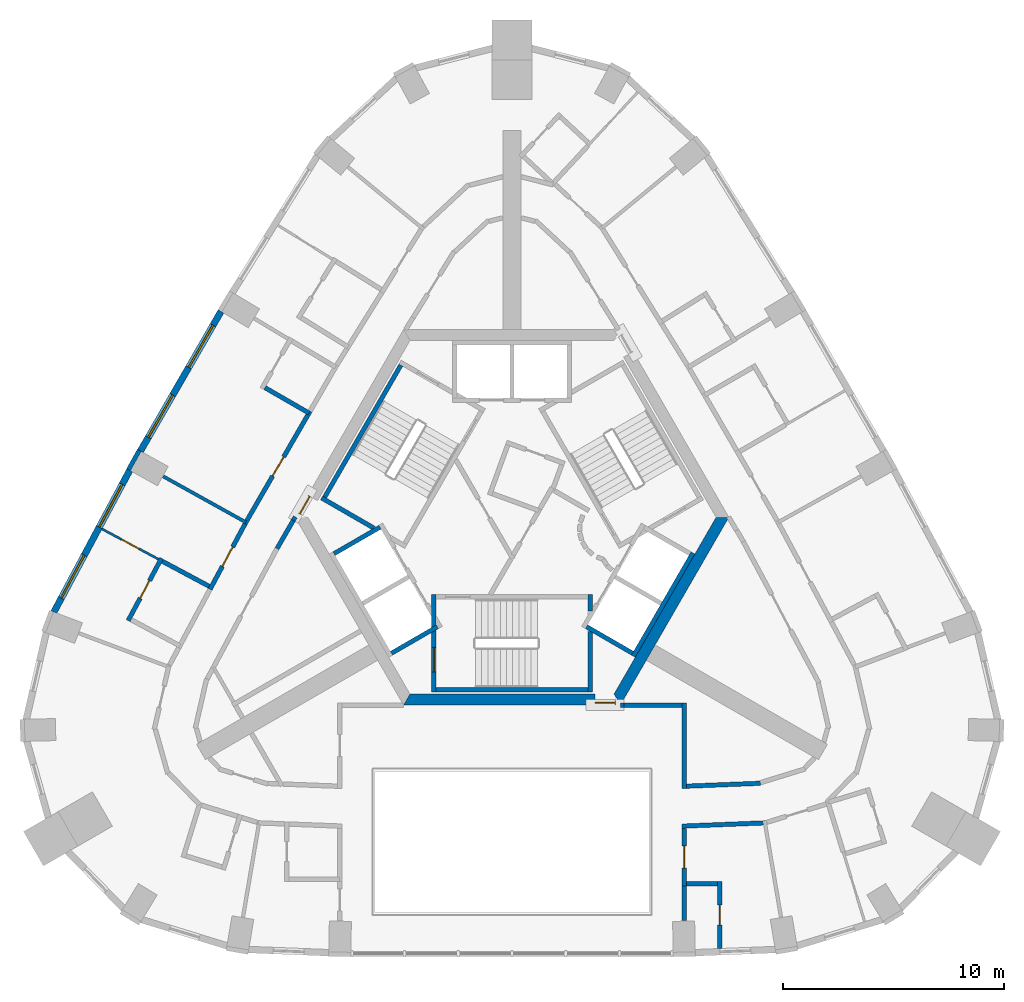
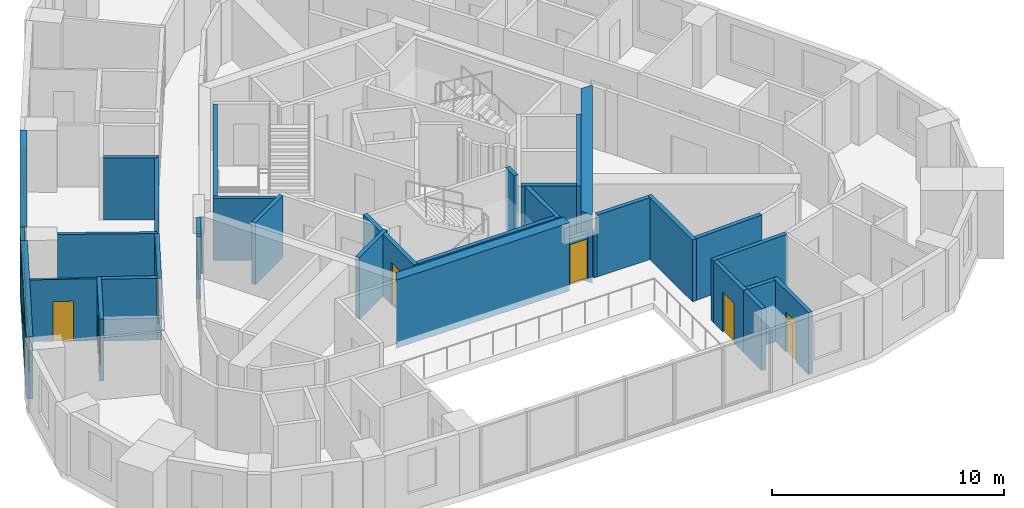
# One storey, part 3 of 9: 35 walls, 9 doors, 4 windows, 13 openings.
"""IFC4 building model written with IfcOpenShell, lengths in metres."""

from ifc_helpers import new_model, si_unit, direction, frame, frame_2d, origin, place, context, subcontext, project, spatial, polyline, rectangle, outline, extrude, material, layer, layer_set, type_object, element, fill, save


model = new_model("IFC4")

# Units and contexts
model_context = context("Model", 3, precision=1e-05, world=origin(), true_north=direction((0.0, 1.0)))
body_context = subcontext(model_context, "Body", "Model", "MODEL_VIEW")
ifc_project = project(units=[si_unit("LENGTHUNIT", "METRE"), si_unit("AREAUNIT", "SQUARE_METRE"), si_unit("VOLUMEUNIT", "CUBIC_METRE"), si_unit("PLANEANGLEUNIT", "RADIAN"), si_unit("MASSUNIT", "GRAM", prefix="KILO")], contexts=[model_context])

# Site, building, storey
site_placement = place(None, origin())
site = spatial("IfcSite", under=ifc_project, at=site_placement, CompositionType="ELEMENT")
building_placement = place(site_placement, origin())
building = spatial("IfcBuilding", under=site, at=building_placement, Name="Entoto Arch Interchange Tower", CompositionType="ELEMENT")
storey_placement = place(building_placement, frame((0.0, 0.0, 290.0)))
storey = spatial("IfcBuildingStorey", under=building, at=storey_placement, Name="L67", CompositionType="ELEMENT", Elevation=290.0)

# Wall, opening, door
ifc_material_1 = material(Name="Reinforced concrete C40/50", Category="concrete")
ifc_layer_1 = layer(ifc_material_1, 0.199951171875)
ifc_layer_set_1 = layer_set([ifc_layer_1], Name="Reinforced concrete C40/50")
wall_type_1 = type_object("IfcWallType", Name="CORE GAP INFILL WALL", PredefinedType="PARTITIONING", material=ifc_layer_set_1)
wall_1_placement = place(storey_placement, frame((3.75, -5.89990234375, 0.0), z_axis=(0.0, 0.0, 1.0), x_axis=(1.0, 0.0, 0.0)))
wall_1 = element("IfcWall", 1, at=wall_1_placement, inside=storey, type_object=wall_type_1, Name="wall:L67:gap1", PredefinedType="PARTITIONING", context=body_context, shape_type="SweptSolid", body=[
    extrude(rectangle(XDim=0.926025390625, YDim=0.199951171875, at=frame_2d((0.462890625, 0.0))), origin(), (0.0, 0.0, 1.0), 2.39990234375),
])
opening_1_placement = place(wall_1_placement, frame((0.01708984375, 0.0, 0.0)))
opening_1 = element("IfcOpeningElement", 2, at=opening_1_placement, cuts=wall_1, Name="Opening L67-D91", PredefinedType="OPENING", context=body_context, shape_type="SweptSolid", body=[
    extrude(rectangle(XDim=0.89990234375, YDim=2.10009765625, at=frame_2d((0.449951171875, 1.050048828125))), frame((0.0, 0.10986328125, 0.0), z_axis=(0.0, -1.0, 0.0), x_axis=(1.0, 0.0, 0.0)), (0.0, 0.0, 1.0), 0.219970703125),
])
ifc_material_2 = material(Name="Fire-rated Steel S235 door and frame", Category="steel")
door_type_1 = type_object("IfcDoorType", Name="DOOR FD-09 900x2100", OperationType="SINGLE_SWING_LEFT", PredefinedType="DOOR", material=ifc_material_2)
door_1_placement = place(opening_1_placement, origin())
door_1 = element("IfcDoor", 3, at=door_1_placement, inside=storey, type_object=door_type_1, Name="door:L67:gap1", OperationType="SINGLE_SWING_LEFT", OverallHeight=2.10009765625, OverallWidth=0.89990234375, PredefinedType="DOOR", context=body_context, shape_type="SweptSolid", body=[
    extrude(rectangle(XDim=0.89990234375, YDim=2.10009765625, at=frame_2d((0.449951171875, 1.050048828125))), frame((0.0, 0.02490234375, 0.0), z_axis=(0.0, -1.0, 0.0), x_axis=(1.0, 0.0, 0.0)), (0.0, 0.0, 1.0), 0.050048828125),
])
fill(opening_1, door_1)

wall_2_placement = place(storey_placement, frame((-9.14990234375, 3.451904296875, 0.0), z_axis=(0.0, 0.0, 1.0), x_axis=(-0.500079945886, -0.865979242085, 0.0)))
wall_2 = element("IfcWall", 4, at=wall_2_placement, inside=storey, type_object=wall_type_1, Name="wall:L67:gap3", PredefinedType="PARTITIONING", context=body_context, shape_type="SweptSolid", body=[
    extrude(rectangle(XDim=0.926025390625, YDim=0.199951171875, at=frame_2d((0.462890625, 0.0))), origin(), (0.0, 0.0, 1.0), 2.39990234375),
])
opening_2_placement = place(wall_2_placement, frame((0.01708984375, 0.0, 0.0)))
opening_2 = element("IfcOpeningElement", 5, at=opening_2_placement, cuts=wall_2, Name="Opening L67-D93", PredefinedType="OPENING", context=body_context, shape_type="SweptSolid", body=[
    extrude(rectangle(XDim=0.89990234375, YDim=2.10009765625, at=frame_2d((0.449951171875, 1.050048828125))), frame((0.0, 0.10986328125, 0.0), z_axis=(0.0, -1.0, 0.0), x_axis=(1.0, 0.0, 0.0)), (0.0, 0.0, 1.0), 0.219970703125),
])
door_2_placement = place(opening_2_placement, origin())
door_2 = element("IfcDoor", 6, at=door_2_placement, inside=storey, type_object=door_type_1, Name="door:L67:gap3", OperationType="SINGLE_SWING_LEFT", OverallHeight=2.10009765625, OverallWidth=0.89990234375, PredefinedType="DOOR", context=body_context, shape_type="SweptSolid", body=[
    extrude(rectangle(XDim=0.89990234375, YDim=2.10009765625, at=frame_2d((0.449951171875, 1.050048828125))), frame((0.0, 0.02490234375, 0.0), z_axis=(0.0, -1.0, 0.0), x_axis=(1.0, 0.0, 0.0)), (0.0, 0.0, 1.0), 0.050048828125),
])
fill(opening_2, door_2)

# Walls
ifc_material_3 = material(Name="Concrete C40/50", Category="concrete")
ifc_layer_2 = layer(ifc_material_3, 0.5)
ifc_layer_set_2 = layer_set([ifc_layer_2], Name="Concrete C40/50")
wall_type_2 = type_object("IfcWallType", Name="Core wall 500 C40/50", PredefinedType="SHEAR", material=ifc_layer_set_2)
wall_3_placement = place(storey_placement, frame((0.0, 0.0, -0.340087890625)))
element("IfcWall", 7, at=wall_3_placement, inside=storey, type_object=wall_type_2, Name="Core wall S L67", PredefinedType="SHEAR", context=body_context, shape_type="SweptSolid", body=[
    extrude(outline(polyline([(3.75, -6.0), (3.75, -5.5), (-4.618896484375, -5.5), (-4.906982421875, -6.0), (3.75, -6.0)])), origin(), (0.0, 0.0, 1.0), 3.60009765625),
])
wall_4_placement = place(storey_placement, frame((0.0, 0.0, -0.340087890625)))
element("IfcWall", 8, at=wall_4_placement, inside=storey, type_object=wall_type_2, Name="Core wall SE L67", PredefinedType="SHEAR", context=body_context, shape_type="SweptSolid", body=[
    extrude(outline(polyline([(4.906982421875, -6.0), (9.81494140625, 2.5), (9.238037109375, 2.5), (4.618896484375, -5.5), (4.906982421875, -6.0)])), origin(), (0.0, 0.0, 1.0), 3.60009765625),
])
ifc_layer_3 = layer(ifc_material_3, 0.199951171875)
ifc_layer_set_3 = layer_set([ifc_layer_3], Name="Concrete C40/50")
wall_type_3 = type_object("IfcWallType", Name="LIFT SHAFT WALL 200", PredefinedType="STANDARD", material=ifc_layer_set_3)
wall_5_placement = place(storey_placement, frame((-5.97705078125, 2.052001953125, 0.0), z_axis=(0.0, 0.0, 1.0), x_axis=(-0.865973769406, -0.500089422704, 0.0)))
element("IfcWall", 9, at=wall_5_placement, inside=storey, type_object=wall_type_3, Name="Shaft wall SW1 cross 1", PredefinedType="STANDARD", context=body_context, shape_type="SweptSolid", body=[
    extrude(rectangle(XDim=2.3994140625, YDim=0.199951171875, at=frame_2d((1.19970703125, 0.0))), origin(), (0.0, 0.0, 1.0), 3.260009765625),
])
wall_6_placement = place(storey_placement, frame((-3.376953125, -2.451904296875, 0.0), z_axis=(0.0, 0.0, 1.0), x_axis=(-0.865955154139, -0.50012165622, 0.0)))
element("IfcWall", 10, at=wall_6_placement, inside=storey, type_object=wall_type_3, Name="Shaft wall SW1 cross 3", PredefinedType="STANDARD", context=body_context, shape_type="SweptSolid", body=[
    extrude(rectangle(XDim=2.39990234375, YDim=0.199951171875, at=frame_2d((1.199951171875, 0.0))), origin(), (0.0, 0.0, 1.0), 3.260009765625),
])
wall_7_placement = place(storey_placement, frame((5.491943359375, -3.7880859375, 0.0), z_axis=(0.0, 0.0, 1.0), x_axis=(0.500034260056, 0.866005622828, 0.0)))
element("IfcWall", 11, at=wall_7_placement, inside=storey, type_object=wall_type_3, Name="Shaft wall SE1 back", PredefinedType="STANDARD", context=body_context, shape_type="SweptSolid", body=[
    extrude(rectangle(XDim=5.3994140625, YDim=0.199951171875, at=frame_2d((2.69970703125, 0.0))), origin(), (0.0, 0.0, 1.0), 3.260009765625),
])
wall_8_placement = place(storey_placement, frame((3.376953125, -2.451904296875, 0.0), z_axis=(0.0, 0.0, 1.0), x_axis=(0.865955154139, -0.50012165622, 0.0)))
element("IfcWall", 12, at=wall_8_placement, inside=storey, type_object=wall_type_3, Name="Shaft wall SE1 cross 1", PredefinedType="STANDARD", context=body_context, shape_type="SweptSolid", body=[
    extrude(rectangle(XDim=2.39990234375, YDim=0.199951171875, at=frame_2d((1.199951171875, 0.0))), origin(), (0.0, 0.0, 1.0), 3.260009765625),
])

# Wall, opening, door
ifc_material_4 = material(Name="Gypsum board partition on steel studs", Category="steel")
ifc_layer_4 = layer(ifc_material_4, 0.10009765625)
ifc_layer_set_4 = layer_set([ifc_layer_4], Name="Gypsum board partition on steel studs")
wall_type_4 = type_object("IfcWallType", Name="PARTITION 100", PredefinedType="PARTITIONING", material=ifc_layer_set_4)
wall_9_placement = place(storey_placement, frame((-16.0, 0.60205078125, 0.0), z_axis=(0.0, 0.0, 1.0), x_axis=(-0.881743923375, 0.47172836844, 0.0)))
wall_9 = element("IfcWall", 13, at=wall_9_placement, inside=storey, type_object=wall_type_4, Name="wall:L67:p122", PredefinedType="PARTITIONING", context=body_context, shape_type="SweptSolid", body=[
    extrude(rectangle(XDim=2.89990234375, YDim=0.10009765625, at=frame_2d((1.449951171875, 0.0))), origin(), (0.0, 0.0, 1.0), 3.260009765625),
])
opening_3_placement = place(wall_9_placement, frame((1.0, 0.0, 0.0)))
opening_3 = element("IfcOpeningElement", 14, at=opening_3_placement, cuts=wall_9, Name="Opening L67-D22", PredefinedType="OPENING", context=body_context, shape_type="SweptSolid", body=[
    extrude(rectangle(XDim=0.89990234375, YDim=2.10009765625, at=frame_2d((0.449951171875, 1.050048828125))), frame((0.0, 0.06005859375, 0.0), z_axis=(0.0, -1.0, 0.0), x_axis=(1.0, 0.0, 0.0)), (0.0, 0.0, 1.0), 0.1201171875),
])
ifc_material_5 = material(Name="Timber door leaf in Steel S235 frame", Category="steel")
door_type_2 = type_object("IfcDoorType", Name="DOOR DS-09 900x2100", OperationType="SINGLE_SWING_LEFT", PredefinedType="DOOR", material=ifc_material_5)
door_3_placement = place(opening_3_placement, origin())
door_3 = element("IfcDoor", 15, at=door_3_placement, inside=storey, type_object=door_type_2, Name="door:L67:22", OperationType="SINGLE_SWING_LEFT", OverallHeight=2.10009765625, OverallWidth=0.89990234375, PredefinedType="DOOR", context=body_context, shape_type="SweptSolid", body=[
    extrude(rectangle(XDim=0.89990234375, YDim=2.10009765625, at=frame_2d((0.449951171875, 1.050048828125))), frame((0.0, 0.02490234375, 0.0), z_axis=(0.0, -1.0, 0.0), x_axis=(1.0, 0.0, 0.0)), (0.0, 0.0, 1.0), 0.050048828125),
])
fill(opening_3, door_3)

# Walls
ifc_layer_5 = layer(ifc_material_4, 0.14990234375)
ifc_layer_set_5 = layer_set([ifc_layer_5], Name="Gypsum board partition on steel studs")
wall_type_5 = type_object("IfcWallType", Name="PARTITION 150", PredefinedType="PARTITIONING", material=ifc_layer_set_5)
wall_10_placement = place(storey_placement, frame((-12.044921875, 2.27197265625, 0.0), z_axis=(0.0, 0.0, 1.0), x_axis=(-0.873982340973, 0.485957680943, 0.0)))
element("IfcWall", 16, at=wall_10_placement, inside=storey, type_object=wall_type_5, Name="wall:L67:p121", PredefinedType="PARTITIONING", context=body_context, shape_type="SweptSolid", body=[
    extrude(rectangle(XDim=4.2802734375, YDim=0.14990234375, at=frame_2d((2.14013671875, 0.0))), origin(), (0.0, 0.0, 1.0), 3.260009765625),
])
ifc_layer_6 = layer(ifc_material_4, 0.199951171875)
ifc_layer_set_6 = layer_set([ifc_layer_6], Name="Gypsum board partition on steel studs")
wall_type_6 = type_object("IfcWallType", Name="PARTITION 200", PredefinedType="PARTITIONING", material=ifc_layer_set_6)
wall_11_placement = place(storey_placement, frame((7.89990234375, -9.6708984375, 0.0), z_axis=(0.0, 0.0, 1.0), x_axis=(0.999223751627, 0.039394088186, 0.0)))
element("IfcWall", 17, at=wall_11_placement, inside=storey, type_object=wall_type_6, Name="wall:L67:p013", PredefinedType="PARTITIONING", context=body_context, shape_type="SweptSolid", body=[
    extrude(rectangle(XDim=3.3466796875, YDim=0.199951171875, at=frame_2d((1.67333984375, 0.0))), origin(), (0.0, 0.0, 1.0), 3.260009765625),
])
wall_12_placement = place(storey_placement, frame((-9.80908203125, 2.513916015625, 0.0), z_axis=(0.0, 0.0, 1.0), x_axis=(-0.497849076449, -0.867263683708, 0.0)))
element("IfcWall", 18, at=wall_12_placement, inside=storey, type_object=wall_type_6, Name="wall:L67:p021", PredefinedType="PARTITIONING", context=body_context, shape_type="SweptSolid", body=[
    extrude(rectangle(XDim=0.184326171875, YDim=0.199951171875, at=frame_2d((0.09228515625, 0.0))), origin(), (0.0, 0.0, 1.0), 2.39990234375),
])
wall_13_placement = place(storey_placement, frame((11.47412109375, -11.33203125, 0.0), z_axis=(0.0, 0.0, 1.0), x_axis=(-0.999232546126, -0.039170381199, 0.0)))
element("IfcWall", 19, at=wall_13_placement, inside=storey, type_object=wall_type_6, Name="wall:L67:p030", PredefinedType="PARTITIONING", context=body_context, shape_type="SweptSolid", body=[
    extrude(rectangle(XDim=3.777099609375, YDim=0.199951171875, at=frame_2d((1.888671875, 0.0))), origin(), (0.0, 0.0, 1.0), 3.260009765625),
])

# Wall, opening, door
wall_14_placement = place(storey_placement, frame((-12.08203125, 2.20703125, 0.0), z_axis=(0.0, 0.0, 1.0), x_axis=(0.500123454404, 0.865954115618, 0.0)))
wall_14 = element("IfcWall", 20, at=wall_14_placement, inside=storey, type_object=wall_type_6, Name="wall:L67:p049", PredefinedType="PARTITIONING", context=body_context, shape_type="SweptSolid", body=[
    extrude(rectangle(XDim=5.884765625, YDim=0.199951171875, at=frame_2d((2.9423828125, 0.0))), origin(), (0.0, 0.0, 1.0), 3.260009765625),
])
opening_4_placement = place(wall_14_placement, frame((2.492919921875, 0.0, 0.0)))
opening_4 = element("IfcOpeningElement", 21, at=opening_4_placement, cuts=wall_14, Name="Opening L67-D19", PredefinedType="OPENING", context=body_context, shape_type="SweptSolid", body=[
    extrude(rectangle(XDim=1.0, YDim=2.10009765625, at=frame_2d((0.5, 1.050048828125))), frame((0.0, 0.10986328125, 0.0), z_axis=(0.0, -1.0, 0.0), x_axis=(1.0, 0.0, 0.0)), (0.0, 0.0, 1.0), 0.219970703125),
])
door_type_3 = type_object("IfcDoorType", Name="DOOR FD-10 1000x2100", OperationType="SINGLE_SWING_LEFT", PredefinedType="DOOR", material=ifc_material_2)
door_4_placement = place(opening_4_placement, origin())
door_4 = element("IfcDoor", 22, at=door_4_placement, inside=storey, type_object=door_type_3, Name="door:L67:19", OperationType="SINGLE_SWING_LEFT", OverallHeight=2.10009765625, OverallWidth=1.0, PredefinedType="DOOR", context=body_context, shape_type="SweptSolid", body=[
    extrude(rectangle(XDim=1.0, YDim=2.10009765625, at=frame_2d((0.5, 1.050048828125))), frame((0.0, 0.02490234375, 0.0), z_axis=(0.0, -1.0, 0.0), x_axis=(1.0, 0.0, 0.0)), (0.0, 0.0, 1.0), 0.050048828125),
])
fill(opening_4, door_4)

wall_15_placement = place(storey_placement, frame((-13.666015625, -0.760009765625, 0.0), z_axis=(0.0, 0.0, 1.0), x_axis=(0.471643060173, 0.881789557543, 0.0)))
wall_15 = element("IfcWall", 23, at=wall_15_placement, inside=storey, type_object=wall_type_6, Name="wall:L67:p051", PredefinedType="PARTITIONING", context=body_context, shape_type="SweptSolid", body=[
    extrude(rectangle(XDim=3.362548828125, YDim=0.199951171875, at=frame_2d((1.68115234375, 0.0))), origin(), (0.0, 0.0, 1.0), 3.260009765625),
])
opening_5_placement = place(wall_15_placement, frame((1.180908203125, 0.0, 0.0)))
opening_5 = element("IfcOpeningElement", 24, at=opening_5_placement, cuts=wall_15, Name="Opening L67-D21", PredefinedType="OPENING", context=body_context, shape_type="SweptSolid", body=[
    extrude(rectangle(XDim=1.0, YDim=2.10009765625, at=frame_2d((0.5, 1.050048828125))), frame((0.0, 0.10986328125, 0.0), z_axis=(0.0, -1.0, 0.0), x_axis=(1.0, 0.0, 0.0)), (0.0, 0.0, 1.0), 0.219970703125),
])
door_5_placement = place(opening_5_placement, origin())
door_5 = element("IfcDoor", 25, at=door_5_placement, inside=storey, type_object=door_type_3, Name="door:L67:21", OperationType="SINGLE_SWING_LEFT", OverallHeight=2.10009765625, OverallWidth=1.0, PredefinedType="DOOR", context=body_context, shape_type="SweptSolid", body=[
    extrude(rectangle(XDim=1.0, YDim=2.10009765625, at=frame_2d((0.5, 1.050048828125))), frame((0.0, 0.02490234375, 0.0), z_axis=(0.0, -1.0, 0.0), x_axis=(1.0, 0.0, 0.0)), (0.0, 0.0, 1.0), 0.050048828125),
])
fill(opening_5, door_5)

# Walls
wall_16_placement = place(storey_placement, frame((4.907958984375, -5.9990234375, 0.0), z_axis=(0.0, 0.0, 1.0), x_axis=(1.0, 0.0, 0.0)))
element("IfcWall", 26, at=wall_16_placement, inside=storey, type_object=wall_type_6, Name="wall:L67:p073", PredefinedType="PARTITIONING", context=body_context, shape_type="SweptSolid", body=[
    extrude(rectangle(XDim=0.16796875, YDim=0.199951171875, at=frame_2d((0.083984375, 0.0))), origin(), (0.0, 0.0, 1.0), 2.39990234375),
])
wall_17_placement = place(storey_placement, frame((7.800048828125, -5.89892578125, 0.0), z_axis=(0.0, 0.0, 1.0), x_axis=(0.0, -1.0, 0.0)))
element("IfcWall", 27, at=wall_17_placement, inside=storey, type_object=wall_type_6, Name="wall:L67:p074", PredefinedType="PARTITIONING", context=body_context, shape_type="SweptSolid", body=[
    extrude(rectangle(XDim=3.8759765625, YDim=0.199951171875, at=frame_2d((1.93798828125, 0.0))), origin(), (0.0, 0.0, 1.0), 3.260009765625),
])

# Wall, opening, door
wall_18_placement = place(storey_placement, frame((7.800048828125, -11.575927734375, 0.0), z_axis=(0.0, 0.0, 1.0), x_axis=(0.0, -1.0, 0.0)))
wall_18 = element("IfcWall", 28, at=wall_18_placement, inside=storey, type_object=wall_type_6, Name="wall:L67:p077", PredefinedType="PARTITIONING", context=body_context, shape_type="SweptSolid", body=[
    extrude(rectangle(XDim=2.60498046875, YDim=0.199951171875, at=frame_2d((1.302490234375, 0.0))), origin(), (0.0, 0.0, 1.0), 3.260009765625),
])
opening_6_placement = place(wall_18_placement, frame((0.802001953125, 0.0, 0.0)))
opening_6 = element("IfcOpeningElement", 29, at=opening_6_placement, cuts=wall_18, Name="Opening L67-D01", PredefinedType="OPENING", context=body_context, shape_type="SweptSolid", body=[
    extrude(rectangle(XDim=1.0, YDim=2.10009765625, at=frame_2d((0.5, 1.050048828125))), frame((0.0, 0.10986328125, 0.0), z_axis=(0.0, -1.0, 0.0), x_axis=(1.0, 0.0, 0.0)), (0.0, 0.0, 1.0), 0.219970703125),
])
door_6_placement = place(opening_6_placement, origin())
door_6 = element("IfcDoor", 30, at=door_6_placement, inside=storey, type_object=door_type_3, Name="door:L67:01", OperationType="SINGLE_SWING_LEFT", OverallHeight=2.10009765625, OverallWidth=1.0, PredefinedType="DOOR", context=body_context, shape_type="SweptSolid", body=[
    extrude(rectangle(XDim=1.0, YDim=2.10009765625, at=frame_2d((0.5, 1.050048828125))), frame((0.0, 0.02490234375, 0.0), z_axis=(0.0, -1.0, 0.0), x_axis=(1.0, 0.0, 0.0)), (0.0, 0.0, 1.0), 0.050048828125),
])
fill(opening_6, door_6)

# Wall
wall_19_placement = place(storey_placement, frame((7.800048828125, -14.180908203125, 0.0), z_axis=(0.0, 0.0, 1.0), x_axis=(0.0, -1.0, 0.0)))
element("IfcWall", 31, at=wall_19_placement, inside=storey, type_object=wall_type_6, Name="wall:L67:p078", PredefinedType="PARTITIONING", context=body_context, shape_type="SweptSolid", body=[
    extrude(rectangle(XDim=1.580078125, YDim=0.199951171875, at=frame_2d((0.7900390625, 0.0))), origin(), (0.0, 0.0, 1.0), 3.260009765625),
])

# Wall, opening, door
wall_20_placement = place(storey_placement, frame((9.39990234375, -17.01806640625, 0.0), z_axis=(0.0, 0.0, 1.0), x_axis=(0.0, 1.0, 0.0)))
wall_20 = element("IfcWall", 32, at=wall_20_placement, inside=storey, type_object=wall_type_6, Name="wall:L67:p085", PredefinedType="PARTITIONING", context=body_context, shape_type="SweptSolid", body=[
    extrude(rectangle(XDim=3.037109375, YDim=0.199951171875, at=frame_2d((1.5185546875, 0.0))), origin(), (0.0, 0.0, 1.0), 3.260009765625),
])
opening_7_placement = place(wall_20_placement, frame((1.069091796875, 0.0, 0.0)))
opening_7 = element("IfcOpeningElement", 33, at=opening_7_placement, cuts=wall_20, Name="Opening L67-D02", PredefinedType="OPENING", context=body_context, shape_type="SweptSolid", body=[
    extrude(rectangle(XDim=0.89990234375, YDim=2.10009765625, at=frame_2d((0.449951171875, 1.050048828125))), frame((0.0, 0.10986328125, 0.0), z_axis=(0.0, -1.0, 0.0), x_axis=(1.0, 0.0, 0.0)), (0.0, 0.0, 1.0), 0.219970703125),
])
door_7_placement = place(opening_7_placement, origin())
door_7 = element("IfcDoor", 34, at=door_7_placement, inside=storey, type_object=door_type_2, Name="door:L67:02", OperationType="SINGLE_SWING_RIGHT", OverallHeight=2.10009765625, OverallWidth=0.89990234375, PredefinedType="DOOR", context=body_context, shape_type="SweptSolid", body=[
    extrude(rectangle(XDim=0.89990234375, YDim=2.10009765625, at=frame_2d((0.449951171875, 1.050048828125))), frame((0.0, 0.02490234375, 0.0), z_axis=(0.0, -1.0, 0.0), x_axis=(1.0, 0.0, 0.0)), (0.0, 0.0, 1.0), 0.050048828125),
])
fill(opening_7, door_7)

# Walls
wall_21_placement = place(storey_placement, frame((9.300048828125, -14.0810546875, 0.0), z_axis=(0.0, 0.0, 1.0), x_axis=(-1.0, 0.0, 0.0)))
element("IfcWall", 35, at=wall_21_placement, inside=storey, type_object=wall_type_6, Name="wall:L67:p086", PredefinedType="PARTITIONING", context=body_context, shape_type="SweptSolid", body=[
    extrude(rectangle(XDim=1.400146484375, YDim=0.199951171875, at=frame_2d((0.7001953125, 0.0))), origin(), (0.0, 0.0, 1.0), 3.260009765625),
])
wall_22_placement = place(storey_placement, frame((-11.180908203125, 8.366943359375, 0.0), z_axis=(0.0, 0.0, 1.0), x_axis=(0.866053019151, -0.499952165731, 0.0)))
element("IfcWall", 36, at=wall_22_placement, inside=storey, type_object=wall_type_6, Name="wall:L67:p120", PredefinedType="PARTITIONING", context=body_context, shape_type="SweptSolid", body=[
    extrude(rectangle(XDim=2.300048828125, YDim=0.199951171875, at=frame_2d((1.14990234375, 0.0))), origin(), (0.0, 0.0, 1.0), 3.260009765625),
])
wall_23_placement = place(storey_placement, frame((-13.70703125, -0.6240234375, 0.0), z_axis=(0.0, 0.0, 1.0), x_axis=(-0.881825950813, 0.471575012562, 0.0)))
element("IfcWall", 37, at=wall_23_placement, inside=storey, type_object=wall_type_6, Name="wall:L67:p123", PredefinedType="PARTITIONING", context=body_context, shape_type="SweptSolid", body=[
    extrude(rectangle(XDim=2.400634765625, YDim=0.199951171875, at=frame_2d((1.2001953125, 0.0))), origin(), (0.0, 0.0, 1.0), 3.260009765625),
])

# Wall, opening, door
wall_24_placement = place(storey_placement, frame((-15.864990234375, 0.64306640625, 0.0), z_axis=(0.0, 0.0, 1.0), x_axis=(-0.471677088066, -0.881771356188, 0.0)))
wall_24 = element("IfcWall", 38, at=wall_24_placement, inside=storey, type_object=wall_type_6, Name="wall:L67:p124", PredefinedType="PARTITIONING", context=body_context, shape_type="SweptSolid", body=[
    extrude(rectangle(XDim=3.19921875, YDim=0.199951171875, at=frame_2d((1.599609375, 0.0))), origin(), (0.0, 0.0, 1.0), 3.260009765625),
])
opening_8_placement = place(wall_24_placement, frame((1.14990234375, 0.0, 0.0)))
opening_8 = element("IfcOpeningElement", 39, at=opening_8_placement, cuts=wall_24, Name="Opening L67-D23", PredefinedType="OPENING", context=body_context, shape_type="SweptSolid", body=[
    extrude(rectangle(XDim=0.89990234375, YDim=2.10009765625, at=frame_2d((0.449951171875, 1.050048828125))), frame((0.0, 0.10986328125, 0.0), z_axis=(0.0, -1.0, 0.0), x_axis=(1.0, 0.0, 0.0)), (0.0, 0.0, 1.0), 0.219970703125),
])
door_8_placement = place(opening_8_placement, origin())
door_8 = element("IfcDoor", 40, at=door_8_placement, inside=storey, type_object=door_type_2, Name="door:L67:23", OperationType="SINGLE_SWING_LEFT", OverallHeight=2.10009765625, OverallWidth=0.89990234375, PredefinedType="DOOR", context=body_context, shape_type="SweptSolid", body=[
    extrude(rectangle(XDim=0.89990234375, YDim=2.10009765625, at=frame_2d((0.449951171875, 1.050048828125))), frame((0.0, 0.02490234375, 0.0), z_axis=(0.0, -1.0, 0.0), x_axis=(1.0, 0.0, 0.0)), (0.0, 0.0, 1.0), 0.050048828125),
])
fill(opening_8, door_8)

# Walls
wall_25_placement = place(storey_placement, frame((-9.90087890625, 2.35400390625, 0.0), z_axis=(0.0, 0.0, 1.0), x_axis=(-0.500374498448, -0.865809079014, 0.0)))
element("IfcWall", 41, at=wall_25_placement, inside=storey, type_object=wall_type_6, Name="wall:L67:p021", PredefinedType="PARTITIONING", context=body_context, shape_type="SweptSolid", body=[
    extrude(rectangle(XDim=1.468994140625, YDim=0.199951171875, at=frame_2d((0.734375, 0.0))), origin(), (0.0, 0.0, 1.0), 3.260009765625),
])
wall_26_placement = place(storey_placement, frame((5.075927734375, -5.9990234375, 0.0), z_axis=(0.0, 0.0, 1.0), x_axis=(1.0, 0.0, 0.0)))
element("IfcWall", 42, at=wall_26_placement, inside=storey, type_object=wall_type_6, Name="wall:L67:p073", PredefinedType="PARTITIONING", context=body_context, shape_type="SweptSolid", body=[
    extrude(rectangle(XDim=2.6240234375, YDim=0.199951171875, at=frame_2d((1.31201171875, 0.0))), origin(), (0.0, 0.0, 1.0), 3.260009765625),
])

# Wall, opening, door
ifc_layer_7 = layer(ifc_material_3, 0.199951171875)
ifc_layer_set_7 = layer_set([ifc_layer_7], Name="Concrete C40/50")
wall_type_7 = type_object("IfcWallType", Name="STAIR ENCLOSURE WALL 200", PredefinedType="STANDARD", material=ifc_layer_set_7)
wall_27_placement = place(storey_placement, frame((-3.550048828125, -1.0, 0.0), z_axis=(0.0, 0.0, 1.0), x_axis=(0.0, -1.0, 0.0)))
wall_27 = element("IfcWall", 43, at=wall_27_placement, inside=storey, type_object=wall_type_7, Name="Stair wall ST-S near", PredefinedType="STANDARD", context=body_context, shape_type="SweptSolid", body=[
    extrude(rectangle(XDim=4.39990234375, YDim=0.199951171875, at=frame_2d((2.199951171875, 0.0))), origin(), (0.0, 0.0, 1.0), 3.260009765625),
])
opening_9_placement = place(wall_27_placement, frame((2.39990234375, 0.0, 0.0)))
opening_9 = element("IfcOpeningElement", 44, at=opening_9_placement, cuts=wall_27, Name="Opening SD-ST-S-L67-E", PredefinedType="OPENING", context=body_context, shape_type="SweptSolid", body=[
    extrude(rectangle(XDim=1.10009765625, YDim=2.199951171875, at=frame_2d((0.550048828125, 1.10009765625))), frame((0.0, 0.10986328125, 0.0), z_axis=(0.0, -1.0, 0.0), x_axis=(1.0, 0.0, 0.0)), (0.0, 0.0, 1.0), 0.219970703125),
])
ifc_material_6 = material(Name="Steel S235", Category="steel")
door_type_4 = type_object("IfcDoorType", Name="STAIR DOOR SD1 1100x2200", OperationType="SINGLE_SWING_LEFT", PredefinedType="DOOR", material=ifc_material_6)
door_9_placement = place(opening_9_placement, origin())
door_9 = element("IfcDoor", 45, at=door_9_placement, inside=storey, type_object=door_type_4, Name="Stair door ST-S L67 end", OperationType="SINGLE_SWING_LEFT", OverallHeight=2.199951171875, OverallWidth=1.10009765625, PredefinedType="DOOR", context=body_context, shape_type="SweptSolid", body=[
    extrude(rectangle(XDim=1.10009765625, YDim=2.199951171875, at=frame_2d((0.550048828125, 1.10009765625))), frame((0.0, 0.02490234375, 0.0), z_axis=(0.0, -1.0, 0.0), x_axis=(1.0, 0.0, 0.0)), (0.0, 0.0, 1.0), 0.050048828125),
])
fill(opening_9, door_9)

# Walls
wall_28_placement = place(storey_placement, frame((3.550048828125, -2.6669921875, 0.0), z_axis=(0.0, 0.0, 1.0), x_axis=(0.0, -1.0, 0.0)))
element("IfcWall", 46, at=wall_28_placement, inside=storey, type_object=wall_type_7, Name="Stair wall ST-S far", PredefinedType="STANDARD", context=body_context, shape_type="SweptSolid", body=[
    extrude(rectangle(XDim=2.73291015625, YDim=0.199951171875, at=frame_2d((1.366455078125, 0.0))), origin(), (0.0, 0.0, 1.0), 3.260009765625),
])
wall_29_placement = place(storey_placement, frame((3.550048828125, -1.0, 0.0), z_axis=(0.0, 0.0, 1.0), x_axis=(0.0, -1.0, 0.0)))
element("IfcWall", 47, at=wall_29_placement, inside=storey, type_object=wall_type_7, Name="Stair wall ST-S far return", PredefinedType="STANDARD", context=body_context, shape_type="SweptSolid", body=[
    extrude(rectangle(XDim=0.7509765625, YDim=0.199951171875, at=frame_2d((0.37548828125, 0.0))), origin(), (0.0, 0.0, 1.0), 3.260009765625),
])
wall_30_placement = place(storey_placement, frame((-3.449951171875, -5.300048828125, 0.0), z_axis=(0.0, 0.0, 1.0), x_axis=(1.0, 0.0, 0.0)))
element("IfcWall", 48, at=wall_30_placement, inside=storey, type_object=wall_type_7, Name="Stair wall ST-S back", PredefinedType="STANDARD", context=body_context, shape_type="SweptSolid", body=[
    extrude(rectangle(XDim=6.89990234375, YDim=0.199951171875, at=frame_2d((3.449951171875, 0.0))), origin(), (0.0, 0.0, 1.0), 3.260009765625),
])
wall_31_placement = place(storey_placement, frame((-6.25, 2.010009765625, 0.0), z_axis=(0.0, 0.0, 1.0), x_axis=(-0.86611865017, 0.499838457731, 0.0)))
element("IfcWall", 49, at=wall_31_placement, inside=storey, type_object=wall_type_7, Name="Stair wall ST-NW far", PredefinedType="STANDARD", context=body_context, shape_type="SweptSolid", body=[
    extrude(rectangle(XDim=2.73291015625, YDim=0.199951171875, at=frame_2d((1.366455078125, 0.0))), origin(), (0.0, 0.0, 1.0), 3.260009765625),
])
wall_32_placement = place(storey_placement, frame((-5.030029296875, 9.387939453125, 0.0), z_axis=(0.0, 0.0, 1.0), x_axis=(-0.499978703459, -0.866037698999, 0.0)))
element("IfcWall", 50, at=wall_32_placement, inside=storey, type_object=wall_type_7, Name="Stair wall ST-NW back", PredefinedType="STANDARD", context=body_context, shape_type="SweptSolid", body=[
    extrude(rectangle(XDim=6.900146484375, YDim=0.199951171875, at=frame_2d((3.4501953125, 0.0))), origin(), (0.0, 0.0, 1.0), 3.260009765625),
])

# Wall, openings, windows
ifc_material_7 = material(Name="Welded tuff (ignimbrite) cladding, warm buff", Category="masonry")
ifc_layer_8 = layer(ifc_material_7, 0.300048828125)
ifc_layer_set_8 = layer_set([ifc_layer_8], Name="Welded tuff (ignimbrite) cladding, warm buff")
wall_type_8 = type_object("IfcWallType", Name="STONE INFILL WALL 300", PredefinedType="STANDARD", material=ifc_layer_set_8)
wall_33_placement = place(storey_placement, frame((-13.172119140625, 11.819091796875, 0.0), z_axis=(0.0, 0.0, 1.0), x_axis=(-0.499945412946, -0.866056917341, 0.0)))
wall_33 = element("IfcWall", 51, at=wall_33_placement, inside=storey, type_object=wall_type_8, Name="Facade wall NW-02 L67", PredefinedType="STANDARD", context=body_context, shape_type="SweptSolid", body=[
    extrude(rectangle(XDim=7.298583984375, YDim=0.300048828125, at=frame_2d((3.6494140625, 0.0))), origin(), (0.0, 0.0, 1.0), 3.260009765625),
])
opening_10_placement = place(wall_33_placement, frame((0.72509765625, 0.0, 0.89990234375)))
opening_10 = element("IfcOpeningElement", 52, at=opening_10_placement, cuts=wall_33, Name="Opening WH-A", PredefinedType="OPENING", context=body_context, shape_type="SweptSolid", body=[
    extrude(rectangle(XDim=2.199951171875, YDim=2.0, at=frame_2d((1.10009765625, 1.0))), frame((0.0, 0.16015625, 0.0), z_axis=(0.0, -1.0, 0.0), x_axis=(1.0, 0.0, 0.0)), (0.0, 0.0, 1.0), 0.320068359375),
])
opening_11_placement = place(wall_33_placement, frame((4.3740234375, 0.0, 0.89990234375)))
opening_11 = element("IfcOpeningElement", 53, at=opening_11_placement, cuts=wall_33, Name="Opening WH-A", PredefinedType="OPENING", context=body_context, shape_type="SweptSolid", body=[
    extrude(rectangle(XDim=2.199951171875, YDim=2.0, at=frame_2d((1.10009765625, 1.0))), frame((0.0, 0.16015625, 0.0), z_axis=(0.0, -1.0, 0.0), x_axis=(1.0, 0.0, 0.0)), (0.0, 0.0, 1.0), 0.320068359375),
])
ifc_material_8 = material(Name="Clear glass, low-e double glazed", Category="glass")
window_type = type_object("IfcWindowType", Name="WINDOW WH-A 2200x2000", PartitioningType="DOUBLE_PANEL_VERTICAL", PredefinedType="WINDOW", material=ifc_material_8)
window_1_placement = place(opening_10_placement, origin())
window_1 = element("IfcWindow", 54, at=window_1_placement, inside=storey, type_object=window_type, Name="Window WH-A NW-02 L67", OverallHeight=2.0, OverallWidth=2.199951171875, PartitioningType="SINGLE_PANEL", PredefinedType="WINDOW", context=body_context, shape_type="SweptSolid", body=[
    extrude(rectangle(XDim=2.199951171875, YDim=2.0, at=frame_2d((1.10009765625, 1.0))), frame((0.0, 0.030029296875, 0.0), z_axis=(0.0, -1.0, 0.0), x_axis=(1.0, 0.0, 0.0)), (0.0, 0.0, 1.0), 0.06005859375),
])
fill(opening_10, window_1)
window_2_placement = place(opening_11_placement, origin())
window_2 = element("IfcWindow", 55, at=window_2_placement, inside=storey, type_object=window_type, Name="Window WH-A NW-02 L67", OverallHeight=2.0, OverallWidth=2.199951171875, PartitioningType="SINGLE_PANEL", PredefinedType="WINDOW", context=body_context, shape_type="SweptSolid", body=[
    extrude(rectangle(XDim=2.199951171875, YDim=2.0, at=frame_2d((1.10009765625, 1.0))), frame((0.0, 0.030029296875, 0.0), z_axis=(0.0, -1.0, 0.0), x_axis=(1.0, 0.0, 0.0)), (0.0, 0.0, 1.0), 0.06005859375),
])
fill(opening_11, window_2)

wall_34_placement = place(storey_placement, frame((-17.305908203125, 4.6259765625, 0.0), z_axis=(0.0, 0.0, 1.0), x_axis=(-0.471789353675, -0.881711293882, 0.0)))
wall_34 = element("IfcWall", 56, at=wall_34_placement, inside=storey, type_object=wall_type_8, Name="Facade wall NW-03 L67", PredefinedType="STANDARD", context=body_context, shape_type="SweptSolid", body=[
    extrude(rectangle(XDim=7.27685546875, YDim=0.300048828125, at=frame_2d((3.638427734375, 0.0))), origin(), (0.0, 0.0, 1.0), 3.260009765625),
])
opening_12_placement = place(wall_34_placement, frame((0.718994140625, 0.0, 0.89990234375)))
opening_12 = element("IfcOpeningElement", 57, at=opening_12_placement, cuts=wall_34, Name="Opening WH-A", PredefinedType="OPENING", context=body_context, shape_type="SweptSolid", body=[
    extrude(rectangle(XDim=2.199951171875, YDim=2.0, at=frame_2d((1.10009765625, 1.0))), frame((0.0, 0.16015625, 0.0), z_axis=(0.0, -1.0, 0.0), x_axis=(1.0, 0.0, 0.0)), (0.0, 0.0, 1.0), 0.320068359375),
])
opening_13_placement = place(wall_34_placement, frame((4.35791015625, 0.0, 0.89990234375)))
opening_13 = element("IfcOpeningElement", 58, at=opening_13_placement, cuts=wall_34, Name="Opening WH-A", PredefinedType="OPENING", context=body_context, shape_type="SweptSolid", body=[
    extrude(rectangle(XDim=2.199951171875, YDim=2.0, at=frame_2d((1.10009765625, 1.0))), frame((0.0, 0.16015625, 0.0), z_axis=(0.0, -1.0, 0.0), x_axis=(1.0, 0.0, 0.0)), (0.0, 0.0, 1.0), 0.320068359375),
])
window_3_placement = place(opening_12_placement, origin())
window_3 = element("IfcWindow", 59, at=window_3_placement, inside=storey, type_object=window_type, Name="Window WH-A NW-03 L67", OverallHeight=2.0, OverallWidth=2.199951171875, PartitioningType="SINGLE_PANEL", PredefinedType="WINDOW", context=body_context, shape_type="SweptSolid", body=[
    extrude(rectangle(XDim=2.199951171875, YDim=2.0, at=frame_2d((1.10009765625, 1.0))), frame((0.0, 0.030029296875, 0.0), z_axis=(0.0, -1.0, 0.0), x_axis=(1.0, 0.0, 0.0)), (0.0, 0.0, 1.0), 0.06005859375),
])
fill(opening_12, window_3)
window_4_placement = place(opening_13_placement, origin())
window_4 = element("IfcWindow", 60, at=window_4_placement, inside=storey, type_object=window_type, Name="Window WH-A NW-03 L67", OverallHeight=2.0, OverallWidth=2.199951171875, PartitioningType="SINGLE_PANEL", PredefinedType="WINDOW", context=body_context, shape_type="SweptSolid", body=[
    extrude(rectangle(XDim=2.199951171875, YDim=2.0, at=frame_2d((1.10009765625, 1.0))), frame((0.0, 0.030029296875, 0.0), z_axis=(0.0, -1.0, 0.0), x_axis=(1.0, 0.0, 0.0)), (0.0, 0.0, 1.0), 0.06005859375),
])
fill(opening_13, window_4)

# Wall
ifc_layer_9 = layer(ifc_material_7, 0.199951171875)
ifc_layer_set_9 = layer_set([ifc_layer_9], Name="Welded tuff (ignimbrite) cladding, warm buff")
wall_type_9 = type_object("IfcWallType", Name="STONE PIER CLADDING 200", PredefinedType="STANDARD", material=ifc_layer_set_9)
wall_35_placement = place(storey_placement, frame((-16.8720703125, 5.527099609375, 0.0), z_axis=(0.0, 0.0, 1.0), x_axis=(-0.485850211157, -0.874042088414, 0.0)))
element("IfcWall", 61, at=wall_35_placement, inside=storey, type_object=wall_type_9, Name="Stone pier NW03 L67", PredefinedType="STANDARD", context=body_context, shape_type="SweptSolid", body=[
    extrude(rectangle(XDim=1.0, YDim=0.199951171875, at=frame_2d((0.5, 0.0))), origin(), (0.0, 0.0, 1.0), 3.260009765625),
])

save(model, "model.ifc")
